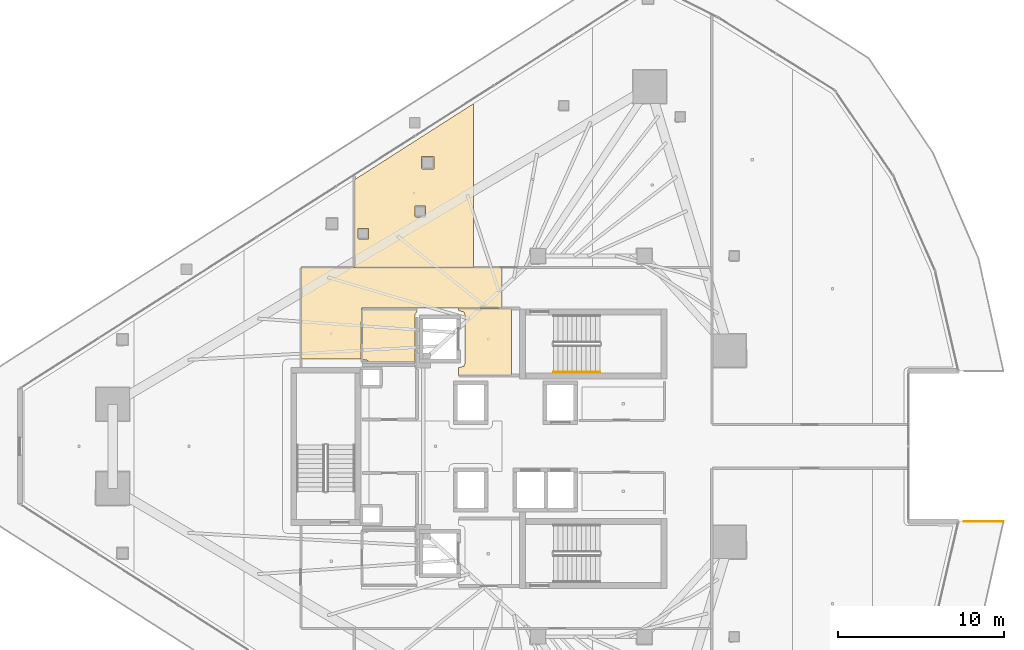
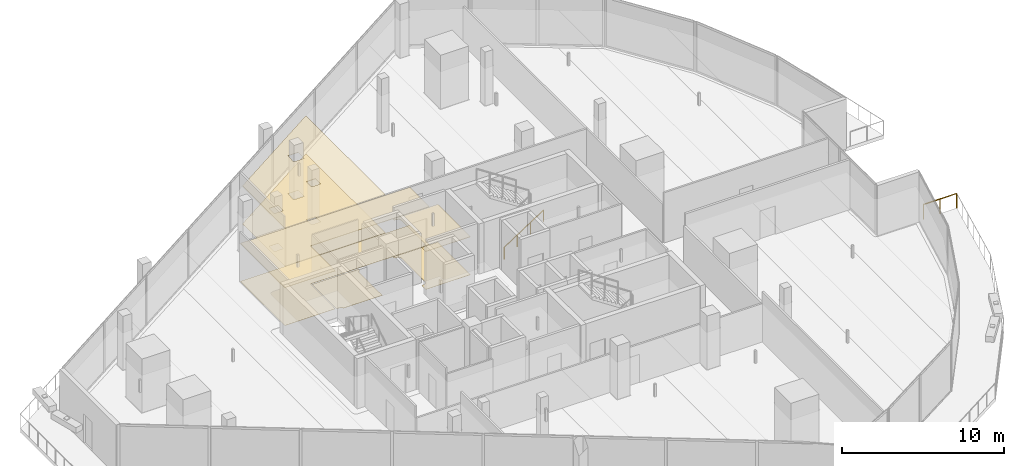
# One storey, part 34 of 36: 7 coverings, 2 railings.
"""IFC4 building model written with IfcOpenShell, lengths in metres."""

from ifc_helpers import new_model, si_unit, direction, frame, origin, origin_2d, place, context, subcontext, project, spatial, polyline, circle, outline, extrude, material, layer, layer_set, type_object, element, save


model = new_model("IFC4")

# Units and contexts
model_context = context("Model", 3, precision=1e-05, world=origin(), true_north=direction((0.0, 1.0)))
body_context = subcontext(model_context, "Body", "Model", "MODEL_VIEW")
ifc_project = project(units=[si_unit("LENGTHUNIT", "METRE"), si_unit("AREAUNIT", "SQUARE_METRE"), si_unit("VOLUMEUNIT", "CUBIC_METRE"), si_unit("PLANEANGLEUNIT", "RADIAN"), si_unit("MASSUNIT", "GRAM", prefix="KILO")], contexts=[model_context])

# Site, building, storey
site_placement = place(None, origin())
site = spatial("IfcSite", under=ifc_project, at=site_placement, CompositionType="ELEMENT")
building_placement = place(site_placement, origin())
building = spatial("IfcBuilding", under=site, at=building_placement, Name="Qorvath Tower", CompositionType="ELEMENT")
storey_placement = place(building_placement, frame((0.0, 0.0, 192.89990234375)))
storey = spatial("IfcBuildingStorey", under=building, at=storey_placement, Name="L44", CompositionType="ELEMENT", Elevation=192.89990234375)

# Coverings
ifc_material_1 = material(Name="Acoustic mineral fibre ceiling tile", Category="gypsum")
ifc_layer_1 = layer(ifc_material_1, 0.030029296875)
ifc_layer_set_1 = layer_set([ifc_layer_1], Name="COV-CEIL")
covering_type_1 = type_object("IfcCoveringType", Name="COV-CEIL", PredefinedType="CEILING", material=ifc_layer_set_1)
covering_1_placement = place(storey_placement, frame((0.0, 0.0, 2.85009765625)))
element("IfcCovering", 1, at=covering_1_placement, inside=storey, type_object=covering_type_1, Name="L44 Suspended Acoustic Ceiling 001", PredefinedType="CEILING", context=body_context, shape_type="SweptSolid", body=[
    extrude(outline(polyline([(-25.18994140625, 4.2548828125), (-25.18994140625, 8.294921875), (-28.375, 8.294921875), (-28.375, 8.159912109375), (-28.063232421875, 8.086669921875), (-27.989990234375, 7.909912109375), (-27.989990234375, 4.989990234375), (-28.063232421875, 4.813232421875), (-28.375, 4.739990234375), (-28.375, 4.2548828125), (-25.18994140625, 4.2548828125)])), origin(), (0.0, 0.0, 1.0), 0.030029296875),
])
covering_2_placement = place(storey_placement, frame((0.0, 0.0, 2.85009765625)))
element("IfcCovering", 2, at=covering_2_placement, inside=storey, type_object=covering_type_1, Name="L44 Suspended Acoustic Ceiling 010", PredefinedType="CEILING", context=body_context, shape_type="SweptSolid", body=[
    extrude(outline(polyline([(-25.76806640625, 8.324951171875), (-25.76806640625, 10.7451171875), (-37.844970703125, 10.7451171875), (-37.844970703125, 5.239990234375), (-34.2509765625, 5.239990234375), (-34.219970703125, 8.324951171875), (-25.76806640625, 8.324951171875)])), origin(), (0.0, 0.0, 1.0), 0.030029296875),
])
covering_3_placement = place(storey_placement, frame((0.0, 0.0, 2.85009765625)))
element("IfcCovering", 3, at=covering_3_placement, inside=storey, type_object=covering_type_1, Name="L44 Suspended Acoustic Ceiling 015", PredefinedType="CEILING", context=body_context, shape_type="SweptSolid", body=[
    extrude(outline(polyline([(-27.476318359375, 10.762939453125), (-27.476318359375, 20.6083984375), (-34.636962890625, 16.03173828125), (-34.636962890625, 10.762939453125), (-27.476318359375, 10.762939453125)]), holes=[polyline([(-30.60986328125, 16.734619140625), (-30.59228515625, 17.427001953125), (-29.857421875, 17.427001953125), (-29.857421875, 16.692138671875), (-30.5498046875, 16.674560546875), (-30.60986328125, 16.734619140625)]), polyline([(-31.01220703125, 13.849365234375), (-30.99462890625, 14.441650390625), (-30.35986328125, 14.441650390625), (-30.35986328125, 13.806884765625), (-30.9521484375, 13.789306640625), (-31.01220703125, 13.849365234375)]), polyline([(-34.439208984375, 12.517578125), (-34.421630859375, 13.10986328125), (-33.786865234375, 13.10986328125), (-33.786865234375, 12.47509765625), (-34.379150390625, 12.45751953125), (-34.439208984375, 12.517578125)])]), origin(), (0.0, 0.0, 1.0), 0.030029296875),
])
ifc_material_2 = material(Name="Low-VOC modular carpet tile", Category="textile")
ifc_layer_2 = layer(ifc_material_2, 0.014892578125)
ifc_layer_set_2 = layer_set([ifc_layer_2], Name="COV-FLOOR-CPT")
covering_type_2 = type_object("IfcCoveringType", Name="COV-FLOOR-CPT", PredefinedType="FLOORING", material=ifc_layer_set_2)
covering_4_placement = place(storey_placement, origin())
element("IfcCovering", 4, at=covering_4_placement, inside=storey, type_object=covering_type_2, Name="L44 Floor Finish 015", PredefinedType="FLOORING", context=body_context, shape_type="SweptSolid", body=[
    extrude(outline(polyline([(-27.476318359375, 10.762939453125), (-27.476318359375, 20.6083984375), (-34.636962890625, 16.03173828125), (-34.636962890625, 10.762939453125), (-27.476318359375, 10.762939453125)]), holes=[polyline([(-30.60986328125, 16.734619140625), (-30.59228515625, 17.427001953125), (-29.857421875, 17.427001953125), (-29.857421875, 16.692138671875), (-30.5498046875, 16.674560546875), (-30.60986328125, 16.734619140625)]), polyline([(-31.01220703125, 13.849365234375), (-30.99462890625, 14.441650390625), (-30.35986328125, 14.441650390625), (-30.35986328125, 13.806884765625), (-30.9521484375, 13.789306640625), (-31.01220703125, 13.849365234375)]), polyline([(-34.439208984375, 12.517578125), (-34.421630859375, 13.10986328125), (-33.786865234375, 13.10986328125), (-33.786865234375, 12.47509765625), (-34.379150390625, 12.45751953125), (-34.439208984375, 12.517578125)])]), origin(), (0.0, 0.0, 1.0), 0.01513671875),
])
ifc_material_3 = material(Name="Polished epoxy terrazzo flooring", Category="concrete")
ifc_layer_3 = layer(ifc_material_3, 0.02001953125)
ifc_layer_set_3 = layer_set([ifc_layer_3], Name="COV-FLOOR-TRZ")
covering_type_3 = type_object("IfcCoveringType", Name="COV-FLOOR-TRZ", PredefinedType="FLOORING", material=ifc_layer_set_3)
covering_5_placement = place(storey_placement, origin())
element("IfcCovering", 5, at=covering_5_placement, inside=storey, type_object=covering_type_3, Name="L44 Floor Finish 001", PredefinedType="FLOORING", context=body_context, shape_type="SweptSolid", body=[
    extrude(outline(polyline([(-25.18994140625, 4.2548828125), (-25.18994140625, 8.294921875), (-28.375, 8.294921875), (-28.375, 8.159912109375), (-28.063232421875, 8.086669921875), (-27.989990234375, 7.909912109375), (-27.989990234375, 4.989990234375), (-28.063232421875, 4.813232421875), (-28.375, 4.739990234375), (-28.375, 4.2548828125), (-25.18994140625, 4.2548828125)])), origin(), (0.0, 0.0, 1.0), 0.01513671875),
])
covering_6_placement = place(storey_placement, origin())
element("IfcCovering", 6, at=covering_6_placement, inside=storey, type_object=covering_type_3, Name="L44 Floor Finish 005", PredefinedType="FLOORING", context=body_context, shape_type="SweptSolid", body=[
    extrude(outline(polyline([(-31.010009765625, 5.054931640625), (-31.010009765625, 7.909912109375), (-30.885009765625, 8.108154296875), (-30.885009765625, 8.2451171875), (-34.175048828125, 8.2451171875), (-34.175048828125, 5.239990234375), (-33.833251953125, 5.166748046875), (-33.786865234375, 5.054931640625), (-31.010009765625, 5.054931640625)])), origin(), (0.0, 0.0, 1.0), 0.01513671875),
])
covering_7_placement = place(storey_placement, origin())
element("IfcCovering", 7, at=covering_7_placement, inside=storey, type_object=covering_type_3, Name="L44 Floor Finish 010", PredefinedType="FLOORING", context=body_context, shape_type="SweptSolid", body=[
    extrude(outline(polyline([(-25.76806640625, 8.324951171875), (-25.76806640625, 10.7451171875), (-37.844970703125, 10.7451171875), (-37.844970703125, 5.239990234375), (-34.2509765625, 5.239990234375), (-34.219970703125, 8.324951171875), (-25.76806640625, 8.324951171875)])), origin(), (0.0, 0.0, 1.0), 0.01513671875),
])

# Railings
ifc_material_4 = material(Name="Laminated safety glass and stainless steel AISI 316", Category="steel")
railing_type_1 = type_object("IfcRailingType", Name="RL-EXT-GRD", PredefinedType="GUARDRAIL", material=ifc_material_4)
railing_1_placement = place(storey_placement, frame((2.03369140625, -4.519775390625, 0.0)))
element("IfcRailing", 8, at=railing_1_placement, inside=storey, type_object=railing_type_1, Name="Loggia Perimeter Guardrail L44-1.2", PredefinedType="GUARDRAIL", context=body_context, shape_type="SweptSolid", body=[
    extrude(circle(Radius=0.02392578125, at=origin_2d()), frame((0.0, 0.0, 1.09619140625), z_axis=(1.0, 0.0, 0.0), x_axis=(0.0, 1.0, 0.0)), (0.0, 0.0, 1.0), 2.36669921875),
    extrude(circle(Radius=0.02099609375, at=origin_2d()), origin(), (0.0, 0.0, 1.0), 1.072021484375),
    extrude(circle(Radius=0.02099609375, at=origin_2d()), frame((1.183349609375, 0.0, 0.0)), (0.0, 0.0, 1.0), 1.072021484375),
    extrude(circle(Radius=0.02099609375, at=origin_2d()), frame((2.36669921875, 0.0, 0.0)), (0.0, 0.0, 1.0), 1.072021484375),
])
ifc_material_5 = material(Name="Brushed stainless steel AISI 304", Category="steel")
railing_type_2 = type_object("IfcRailingType", Name="RL-STR-HND", PredefinedType="HANDRAIL", material=ifc_material_5)
railing_2_placement = place(storey_placement, frame((-22.669921875, 4.449951171875, 0.18408203125)))
element("IfcRailing", 9, at=railing_2_placement, inside=storey, type_object=railing_type_2, Name="L44 TS1 stair handrail 1", PredefinedType="HANDRAIL", context=body_context, shape_type="SweptSolid", body=[
    extrude(circle(Radius=0.02392578125, at=origin_2d()), frame((0.0, 0.0, 0.8759765625), z_axis=(0.835542071712, 0.0, 0.549426470421), x_axis=(0.0, 1.0, 0.0)), (0.0, 0.0, 1.0), 3.350830078125),
    extrude(circle(Radius=0.02099609375, at=origin_2d()), origin(), (0.0, 0.0, 1.0), 0.851806640625),
    extrude(circle(Radius=0.02099609375, at=origin_2d()), frame((0.933349609375, 0.0, 0.61376953125)), (0.0, 0.0, 1.0), 0.851806640625),
    extrude(circle(Radius=0.02099609375, at=origin_2d()), frame((1.866455078125, 0.0, 1.227294921875)), (0.0, 0.0, 1.0), 0.851806640625),
    extrude(circle(Radius=0.02099609375, at=origin_2d()), frame((2.7998046875, 0.0, 1.841064453125)), (0.0, 0.0, 1.0), 0.851806640625),
])

save(model, "model.ifc")
